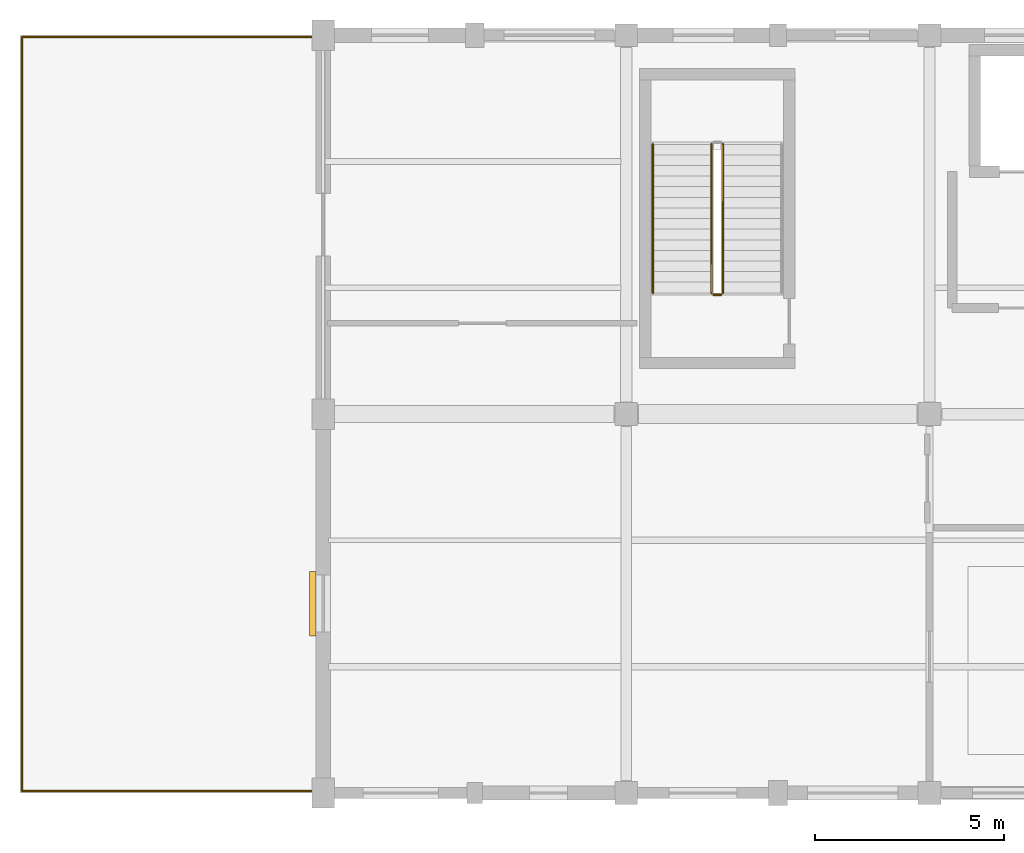
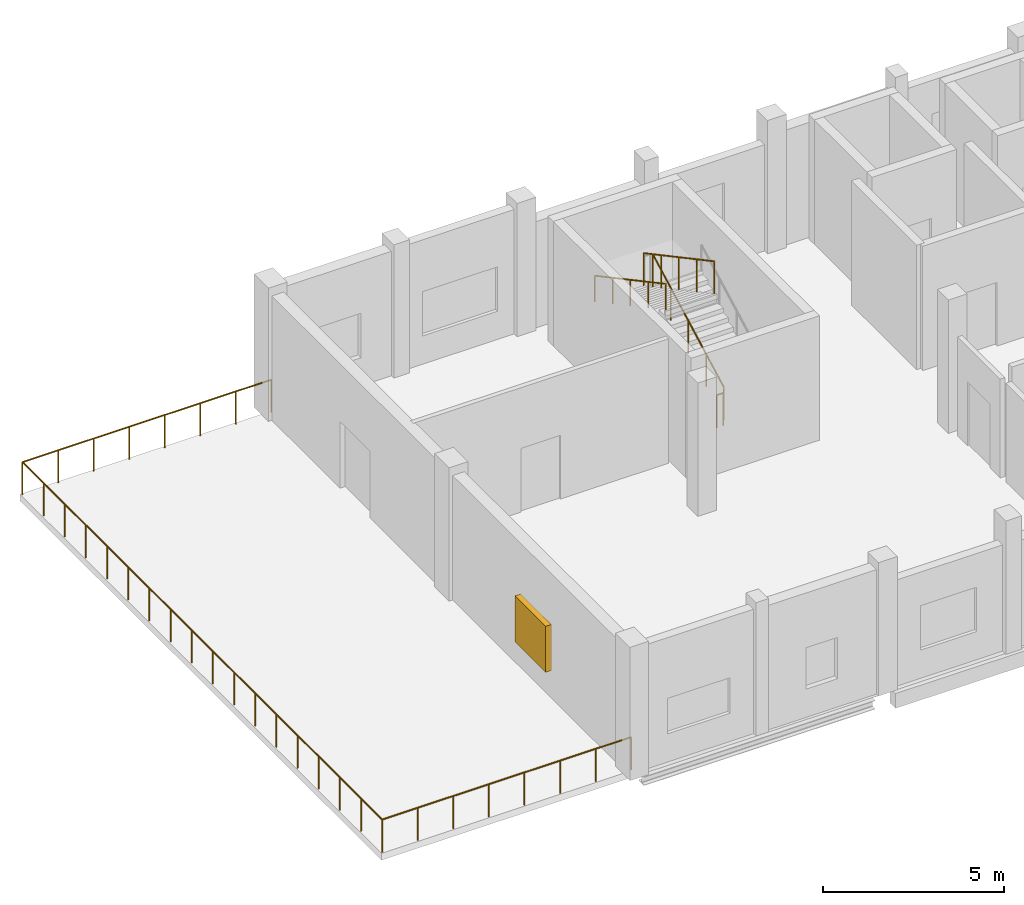
# One storey, part 5 of 6: 5 railings, 1 shading device.
"""IFC4 building model written with IfcOpenShell, lengths in metres."""

from ifc_helpers import new_model, si_unit, direction, frame, origin, origin_2d, place, context, subcontext, project, spatial, rectangle, circle, extrude, material, type_object, element, save


model = new_model("IFC4")

# Units and contexts
model_context = context("Model", 3, precision=1e-05, world=origin(), true_north=direction((0.0, 1.0)))
body_context = subcontext(model_context, "Body", "Model", "MODEL_VIEW")
ifc_project = project(units=[si_unit("LENGTHUNIT", "METRE"), si_unit("AREAUNIT", "SQUARE_METRE"), si_unit("VOLUMEUNIT", "CUBIC_METRE"), si_unit("PLANEANGLEUNIT", "RADIAN"), si_unit("MASSUNIT", "GRAM", prefix="KILO")], contexts=[model_context])

# Site, building, storey
site_placement = place(None, origin())
site = spatial("IfcSite", under=ifc_project, at=site_placement, CompositionType="ELEMENT")
building_placement = place(site_placement, origin())
building = spatial("IfcBuilding", under=site, at=building_placement, Name="Luwemba Playhouse", CompositionType="ELEMENT")
storey_placement = place(building_placement, frame((0.0, 0.0, 18.300048828125)))
storey = spatial("IfcBuildingStorey", under=building, at=storey_placement, Name="L04", CompositionType="ELEMENT", Elevation=18.300048828125)

# Railings
ifc_material_1 = material(Name="Painted wrought-iron balustrade", Category="steel")
railing_type_1 = type_object("IfcRailingType", Name="RLG-BAL-EXT", PredefinedType="BALUSTRADE", material=ifc_material_1)
railing_1_placement = place(storey_placement, frame((132.0, 95.050048828125, 0.0)))
element("IfcRailing", 1, at=railing_1_placement, inside=storey, type_object=railing_type_1, Name="L04 Conservatory Terrace Level 4 perimeter guard", PredefinedType="BALUSTRADE", context=body_context, shape_type="SweptSolid", body=[
    extrude(circle(Radius=0.02392578125, at=origin_2d()), frame((0.0, 0.0, 1.09619140625), z_axis=(-1.0, 0.0, 0.0), x_axis=(0.0, -1.0, 0.0)), (0.0, 0.0, 1.0), 7.949951171875),
    extrude(circle(Radius=0.02392578125, at=origin_2d()), frame((-7.949951171875, 0.0, 1.09619140625), z_axis=(0.0, 1.0, 0.0), x_axis=(-1.0, 0.0, 0.0)), (0.0, 0.0, 1.0), 19.89990234375),
    extrude(circle(Radius=0.02392578125, at=origin_2d()), frame((-7.949951171875, 19.89990234375, 1.09619140625), z_axis=(1.0, 0.0, 0.0), x_axis=(0.0, 1.0, 0.0)), (0.0, 0.0, 1.0), 7.949951171875),
    extrude(circle(Radius=0.02099609375, at=origin_2d()), origin(), (0.0, 0.0, 1.0), 1.072021484375),
    extrude(circle(Radius=0.02099609375, at=origin_2d()), frame((-1.1357421875, 0.0, 0.0)), (0.0, 0.0, 1.0), 1.072021484375),
    extrude(circle(Radius=0.02099609375, at=origin_2d()), frame((-2.271484375, 0.0, 0.0)), (0.0, 0.0, 1.0), 1.072021484375),
    extrude(circle(Radius=0.02099609375, at=origin_2d()), frame((-3.4072265625, 0.0, 0.0)), (0.0, 0.0, 1.0), 1.072021484375),
    extrude(circle(Radius=0.02099609375, at=origin_2d()), frame((-4.542724609375, 0.0, 0.0)), (0.0, 0.0, 1.0), 1.072021484375),
    extrude(circle(Radius=0.02099609375, at=origin_2d()), frame((-5.678466796875, 0.0, 0.0)), (0.0, 0.0, 1.0), 1.072021484375),
    extrude(circle(Radius=0.02099609375, at=origin_2d()), frame((-6.814208984375, 0.0, 0.0)), (0.0, 0.0, 1.0), 1.072021484375),
    extrude(circle(Radius=0.02099609375, at=origin_2d()), frame((-7.949951171875, 0.0, 0.0)), (0.0, 0.0, 1.0), 1.072021484375),
    extrude(circle(Radius=0.02099609375, at=origin_2d()), frame((-7.949951171875, 1.170654296875, 0.0)), (0.0, 0.0, 1.0), 1.072021484375),
    extrude(circle(Radius=0.02099609375, at=origin_2d()), frame((-7.949951171875, 2.341064453125, 0.0)), (0.0, 0.0, 1.0), 1.072021484375),
    extrude(circle(Radius=0.02099609375, at=origin_2d()), frame((-7.949951171875, 3.51171875, 0.0)), (0.0, 0.0, 1.0), 1.072021484375),
    extrude(circle(Radius=0.02099609375, at=origin_2d()), frame((-7.949951171875, 4.682373046875, 0.0)), (0.0, 0.0, 1.0), 1.072021484375),
    extrude(circle(Radius=0.02099609375, at=origin_2d()), frame((-7.949951171875, 5.85302734375, 0.0)), (0.0, 0.0, 1.0), 1.072021484375),
    extrude(circle(Radius=0.02099609375, at=origin_2d()), frame((-7.949951171875, 7.0234375, 0.0)), (0.0, 0.0, 1.0), 1.072021484375),
    extrude(circle(Radius=0.02099609375, at=origin_2d()), frame((-7.949951171875, 8.194091796875, 0.0)), (0.0, 0.0, 1.0), 1.072021484375),
    extrude(circle(Radius=0.02099609375, at=origin_2d()), frame((-7.949951171875, 9.36474609375, 0.0)), (0.0, 0.0, 1.0), 1.072021484375),
    extrude(circle(Radius=0.02099609375, at=origin_2d()), frame((-7.949951171875, 10.53515625, 0.0)), (0.0, 0.0, 1.0), 1.072021484375),
    extrude(circle(Radius=0.02099609375, at=origin_2d()), frame((-7.949951171875, 11.705810546875, 0.0)), (0.0, 0.0, 1.0), 1.072021484375),
    extrude(circle(Radius=0.02099609375, at=origin_2d()), frame((-7.949951171875, 12.87646484375, 0.0)), (0.0, 0.0, 1.0), 1.072021484375),
    extrude(circle(Radius=0.02099609375, at=origin_2d()), frame((-7.949951171875, 14.046875, 0.0)), (0.0, 0.0, 1.0), 1.072021484375),
    extrude(circle(Radius=0.02099609375, at=origin_2d()), frame((-7.949951171875, 15.217529296875, 0.0)), (0.0, 0.0, 1.0), 1.072021484375),
    extrude(circle(Radius=0.02099609375, at=origin_2d()), frame((-7.949951171875, 16.38818359375, 0.0)), (0.0, 0.0, 1.0), 1.072021484375),
    extrude(circle(Radius=0.02099609375, at=origin_2d()), frame((-7.949951171875, 17.558837890625, 0.0)), (0.0, 0.0, 1.0), 1.072021484375),
    extrude(circle(Radius=0.02099609375, at=origin_2d()), frame((-7.949951171875, 18.729248046875, 0.0)), (0.0, 0.0, 1.0), 1.072021484375),
    extrude(circle(Radius=0.02099609375, at=origin_2d()), frame((-7.949951171875, 19.89990234375, 0.0)), (0.0, 0.0, 1.0), 1.072021484375),
    extrude(circle(Radius=0.02099609375, at=origin_2d()), frame((-6.814208984375, 19.89990234375, 0.0)), (0.0, 0.0, 1.0), 1.072021484375),
    extrude(circle(Radius=0.02099609375, at=origin_2d()), frame((-5.678466796875, 19.89990234375, 0.0)), (0.0, 0.0, 1.0), 1.072021484375),
    extrude(circle(Radius=0.02099609375, at=origin_2d()), frame((-4.542724609375, 19.89990234375, 0.0)), (0.0, 0.0, 1.0), 1.072021484375),
    extrude(circle(Radius=0.02099609375, at=origin_2d()), frame((-3.4072265625, 19.89990234375, 0.0)), (0.0, 0.0, 1.0), 1.072021484375),
    extrude(circle(Radius=0.02099609375, at=origin_2d()), frame((-2.271484375, 19.89990234375, 0.0)), (0.0, 0.0, 1.0), 1.072021484375),
    extrude(circle(Radius=0.02099609375, at=origin_2d()), frame((-1.1357421875, 19.89990234375, 0.0)), (0.0, 0.0, 1.0), 1.072021484375),
    extrude(circle(Radius=0.02099609375, at=origin_2d()), frame((0.0, 19.89990234375, 0.0)), (0.0, 0.0, 1.0), 1.072021484375),
])
ifc_material_2 = material(Name="Painted wrought-iron gallery balustrade", Category="steel")
railing_type_2 = type_object("IfcRailingType", Name="RLG-BAL-INT", PredefinedType="BALUSTRADE", material=ifc_material_2)
railing_2_placement = place(storey_placement, frame((142.550048828125, 108.199951171875, 0.14990234375)))
element("IfcRailing", 2, at=railing_2_placement, inside=storey, type_object=railing_type_2, Name="L04 ST-09 stair guard 1", PredefinedType="BALUSTRADE", context=body_context, shape_type="SweptSolid", body=[
    extrude(circle(Radius=0.02392578125, at=origin_2d()), frame((0.0, 0.0, 1.09619140625), z_axis=(0.0, 0.881479153919, 0.472222935917), x_axis=(-1.0, 0.0, 0.0)), (0.0, 0.0, 1.0), 4.447265625),
    extrude(circle(Radius=0.02099609375, at=origin_2d()), origin(), (0.0, 0.0, 1.0), 1.072021484375),
    extrude(circle(Radius=0.02099609375, at=origin_2d()), frame((0.0, 0.97998046875, 0.52490234375)), (0.0, 0.0, 1.0), 1.072021484375),
    extrude(circle(Radius=0.02099609375, at=origin_2d()), frame((0.0, 1.9599609375, 1.050048828125)), (0.0, 0.0, 1.0), 1.072021484375),
    extrude(circle(Radius=0.02099609375, at=origin_2d()), frame((0.0, 2.940185546875, 1.5751953125)), (0.0, 0.0, 1.0), 1.072021484375),
    extrude(circle(Radius=0.02099609375, at=origin_2d()), frame((0.0, 3.920166015625, 2.10009765625)), (0.0, 0.0, 1.0), 1.072021484375),
])
railing_3_placement = place(storey_placement, frame((142.25, 112.1201171875, 2.39990234375)))
element("IfcRailing", 3, at=railing_3_placement, inside=storey, type_object=railing_type_2, Name="L04 ST-09 stair guard 3", PredefinedType="BALUSTRADE", context=body_context, shape_type="SweptSolid", body=[
    extrude(circle(Radius=0.02392578125, at=origin_2d()), frame((0.0, 0.0, 1.09619140625), z_axis=(0.0, -0.881479153919, 0.472222935917), x_axis=(1.0, 0.0, 0.0)), (0.0, 0.0, 1.0), 4.447265625),
    extrude(circle(Radius=0.02099609375, at=origin_2d()), origin(), (0.0, 0.0, 1.0), 1.072021484375),
    extrude(circle(Radius=0.02099609375, at=origin_2d()), frame((0.0, -0.97998046875, 0.52490234375)), (0.0, 0.0, 1.0), 1.072021484375),
    extrude(circle(Radius=0.02099609375, at=origin_2d()), frame((0.0, -1.9599609375, 1.050048828125)), (0.0, 0.0, 1.0), 1.072021484375),
    extrude(circle(Radius=0.02099609375, at=origin_2d()), frame((0.0, -2.940185546875, 1.5751953125)), (0.0, 0.0, 1.0), 1.072021484375),
    extrude(circle(Radius=0.02099609375, at=origin_2d()), frame((0.0, -3.920166015625, 2.10009765625)), (0.0, 0.0, 1.0), 1.072021484375),
])
railing_4_placement = place(storey_placement, frame((142.5, 108.14990234375, 0.0)))
element("IfcRailing", 4, at=railing_4_placement, inside=storey, type_object=railing_type_2, Name="L04 ST-09 stair guard 4", PredefinedType="BALUSTRADE", context=body_context, shape_type="SweptSolid", body=[
    extrude(circle(Radius=0.02392578125, at=origin_2d()), frame((0.0, 0.0, 1.09619140625), z_axis=(-1.0, 0.0, 0.0), x_axis=(0.0, -1.0, 0.0)), (0.0, 0.0, 1.0), 0.199951171875),
    extrude(circle(Radius=0.02099609375, at=origin_2d()), origin(), (0.0, 0.0, 1.0), 1.072021484375),
    extrude(circle(Radius=0.02099609375, at=origin_2d()), frame((-0.199951171875, 0.0, 0.0)), (0.0, 0.0, 1.0), 1.072021484375),
])
ifc_material_3 = material(Name="Hardwood and bronze handrail", Category="wood")
railing_type_3 = type_object("IfcRailingType", Name="RLG-HR-INT", PredefinedType="HANDRAIL", material=ifc_material_3)
railing_5_placement = place(storey_placement, frame((140.699951171875, 112.1201171875, 2.39990234375)))
element("IfcRailing", 5, at=railing_5_placement, inside=storey, type_object=railing_type_3, Name="L04 ST-09 stair handrail 2", PredefinedType="HANDRAIL", context=body_context, shape_type="SweptSolid", body=[
    extrude(circle(Radius=0.02392578125, at=origin_2d()), frame((0.0, 0.0, 0.8759765625), z_axis=(0.0, -0.881479153919, 0.472222935917), x_axis=(1.0, 0.0, 0.0)), (0.0, 0.0, 1.0), 4.447265625),
    extrude(circle(Radius=0.02099609375, at=origin_2d()), origin(), (0.0, 0.0, 1.0), 0.851806640625),
    extrude(circle(Radius=0.02099609375, at=origin_2d()), frame((0.0, -0.97998046875, 0.52490234375)), (0.0, 0.0, 1.0), 0.851806640625),
    extrude(circle(Radius=0.02099609375, at=origin_2d()), frame((0.0, -1.9599609375, 1.050048828125)), (0.0, 0.0, 1.0), 0.851806640625),
    extrude(circle(Radius=0.02099609375, at=origin_2d()), frame((0.0, -2.940185546875, 1.5751953125)), (0.0, 0.0, 1.0), 0.851806640625),
    extrude(circle(Radius=0.02099609375, at=origin_2d()), frame((0.0, -3.920166015625, 2.10009765625)), (0.0, 0.0, 1.0), 0.851806640625),
])

# Shading device
ifc_material_4 = material(Name="Kiln-fired terracotta gelosia louvre screen", Category="masonry")
shading_device_type = type_object("IfcShadingDeviceType", Name="SHD-GELOSIA", PredefinedType="JALOUSIE", material=ifc_material_4)
shading_device_placement = place(storey_placement, frame((131.72509765625, 100.0, 0.9248046875), z_axis=(0.0, 0.0, 1.0), x_axis=(0.0, 1.0, 0.0)))
element("IfcShadingDevice", 6, at=shading_device_placement, inside=storey, type_object=shading_device_type, Name="L04 fired-clay gelosia screen 080", PredefinedType="JALOUSIE", context=body_context, shape_type="SweptSolid", body=[
    extrude(rectangle(XDim=1.699951171875, YDim=0.179931640625, at=origin_2d()), origin(), (0.0, 0.0, 1.0), 1.550048828125),
])

save(model, "model.ifc")
